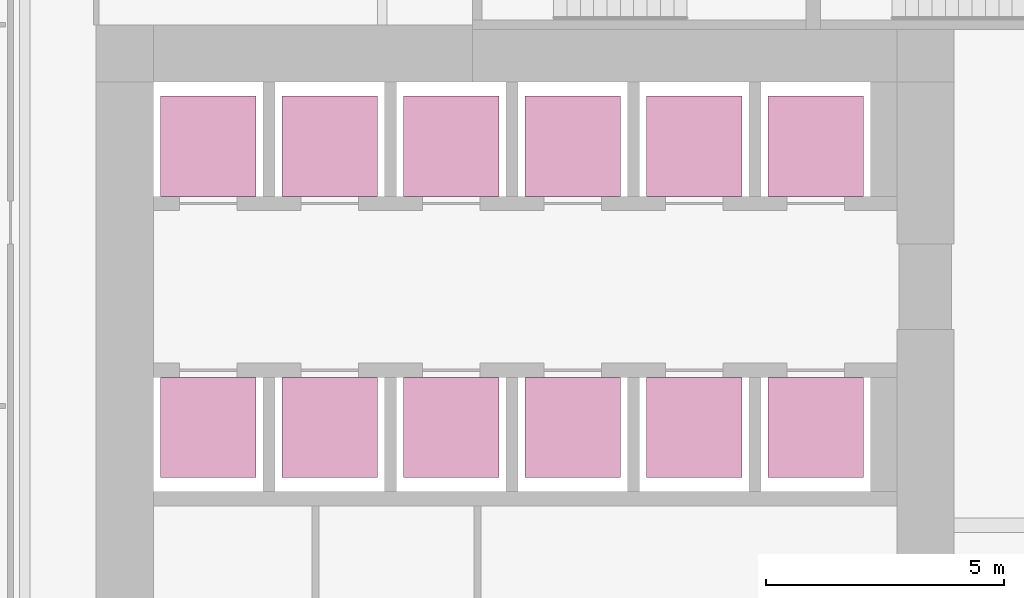
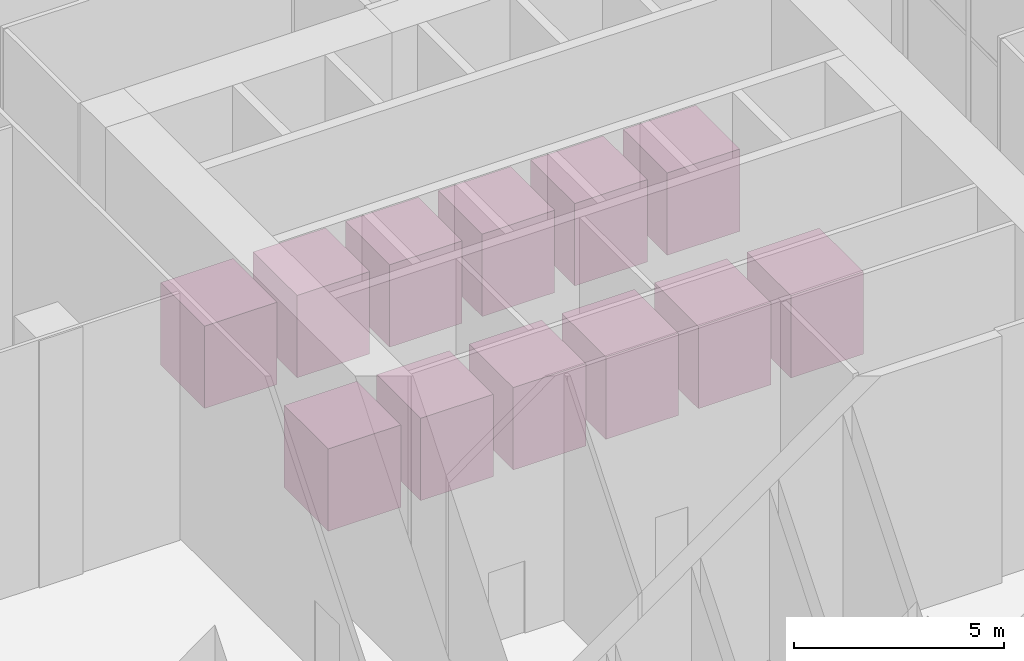
# One storey, part 52 of 52: 12 transport elements.
"""IFC4 building model written with IfcOpenShell, lengths in metres."""

from ifc_helpers import new_model, si_unit, direction, frame, origin, origin_2d, place, context, subcontext, project, spatial, rectangle, extrude, source, transform, mapped, material, type_object, element, save


model = new_model("IFC4")

# Units and contexts
model_context = context("Model", 3, precision=1e-05, world=origin(), true_north=direction((0.0, 1.0)))
body_context = subcontext(model_context, "Body", "Model", "MODEL_VIEW")
ifc_project = project(units=[si_unit("LENGTHUNIT", "METRE"), si_unit("AREAUNIT", "SQUARE_METRE"), si_unit("VOLUMEUNIT", "CUBIC_METRE"), si_unit("PLANEANGLEUNIT", "RADIAN"), si_unit("MASSUNIT", "GRAM", prefix="KILO")], contexts=[model_context])

# Site, building, storey
site_placement = place(None, origin())
site = spatial("IfcSite", under=ifc_project, at=site_placement, CompositionType="ELEMENT")
building_placement = place(site_placement, origin())
building = spatial("IfcBuilding", under=site, at=building_placement, Name="Khomas Fold Tower", CompositionType="ELEMENT")
storey_placement = place(building_placement, origin())
storey = spatial("IfcBuildingStorey", under=building, at=storey_placement, Name="L00", CompositionType="ELEMENT", Elevation=0.0)

# Transport elements
ifc_material_1 = material(Name="Stainless steel", Category="steel")
transport_element_type_1 = type_object("IfcTransportElementType", Name="Low-rise passenger lift 2000x2100", PredefinedType="ELEVATOR", material=ifc_material_1)
shared_shape = source(origin(), body_context, "Body", "SweptSolid", [
    extrude(rectangle(XDim=2.0, YDim=2.10009765625, at=origin_2d()), origin(), (0.0, 0.0, 1.0), 2.39990234375),
])
for number, where, z_axis, x_axis, name in (
    (1, (8.35009765625, 33.550048828125, 0.0), (0.0, 0.0, 1.0), (1.0, 0.0, 0.0), "LR1"),
    (2, (10.89990234375, 33.550048828125, 0.0), (0.0, 0.0, 1.0), (1.0, 0.0, 0.0), "LR2"),
    (3, (13.449951171875, 33.550048828125, 0.0), (0.0, 0.0, 1.0), (1.0, 0.0, 0.0), "LR3"),
    (4, (16.0, 33.550048828125, 0.0), (0.0, 0.0, 1.0), (1.0, 0.0, 0.0), "LR4"),
):
    element("IfcTransportElement", number, at=place(storey_placement, frame(where, z_axis=z_axis, x_axis=x_axis)), inside=storey, type_object=transport_element_type_1, Name=name, PredefinedType="ELEVATOR", context=body_context, shape_type="MappedRepresentation", body=[
        mapped(shared_shape, transform((0.0, 0.0, 0.0))),
    ])
ifc_material_2 = material(Name="Stainless steel", Category="steel")
transport_element_type_2 = type_object("IfcTransportElementType", Name="Shuttle lift 2000x2100", PredefinedType="ELEVATOR", material=ifc_material_2)
for number, where, z_axis, x_axis, name in (
    (5, (18.550048828125, 33.550048828125, 0.0), (0.0, 0.0, 1.0), (1.0, 0.0, 0.0), "S1"),
    (6, (21.10009765625, 33.550048828125, 0.0), (0.0, 0.0, 1.0), (1.0, 0.0, 0.0), "S2"),
):
    element("IfcTransportElement", number, at=place(storey_placement, frame(where, z_axis=z_axis, x_axis=x_axis)), inside=storey, type_object=transport_element_type_2, Name=name, PredefinedType="ELEVATOR", context=body_context, shape_type="MappedRepresentation", body=[
        mapped(shared_shape, transform((0.0, 0.0, 0.0))),
    ])
for number, where, z_axis, x_axis, name in (
    (7, (8.35009765625, 39.449951171875, 0.0), (0.0, 0.0, 1.0), (1.0, 0.0, 0.0), "LR5"),
    (8, (10.89990234375, 39.449951171875, 0.0), (0.0, 0.0, 1.0), (1.0, 0.0, 0.0), "LR6"),
    (9, (13.449951171875, 39.449951171875, 0.0), (0.0, 0.0, 1.0), (1.0, 0.0, 0.0), "LR7"),
    (10, (16.0, 39.449951171875, 0.0), (0.0, 0.0, 1.0), (1.0, 0.0, 0.0), "LR8"),
):
    element("IfcTransportElement", number, at=place(storey_placement, frame(where, z_axis=z_axis, x_axis=x_axis)), inside=storey, type_object=transport_element_type_1, Name=name, PredefinedType="ELEVATOR", context=body_context, shape_type="MappedRepresentation", body=[
        mapped(shared_shape, transform((0.0, 0.0, 0.0))),
    ])
for number, where, z_axis, x_axis, name in (
    (11, (18.550048828125, 39.449951171875, 0.0), (0.0, 0.0, 1.0), (1.0, 0.0, 0.0), "S3"),
    (12, (21.10009765625, 39.449951171875, 0.0), (0.0, 0.0, 1.0), (1.0, 0.0, 0.0), "S4"),
):
    element("IfcTransportElement", number, at=place(storey_placement, frame(where, z_axis=z_axis, x_axis=x_axis)), inside=storey, type_object=transport_element_type_2, Name=name, PredefinedType="ELEVATOR", context=body_context, shape_type="MappedRepresentation", body=[
        mapped(shared_shape, transform((0.0, 0.0, 0.0))),
    ])

save(model, "model.ifc")
